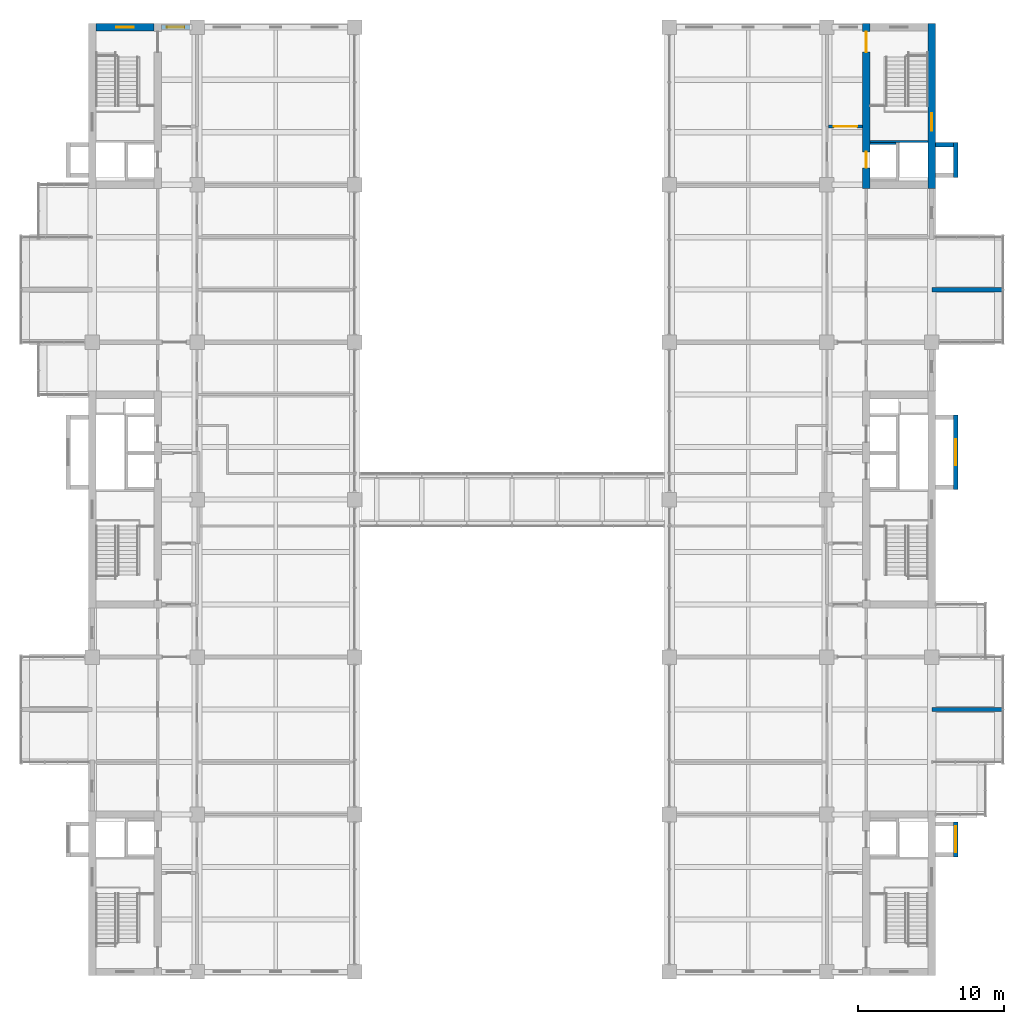
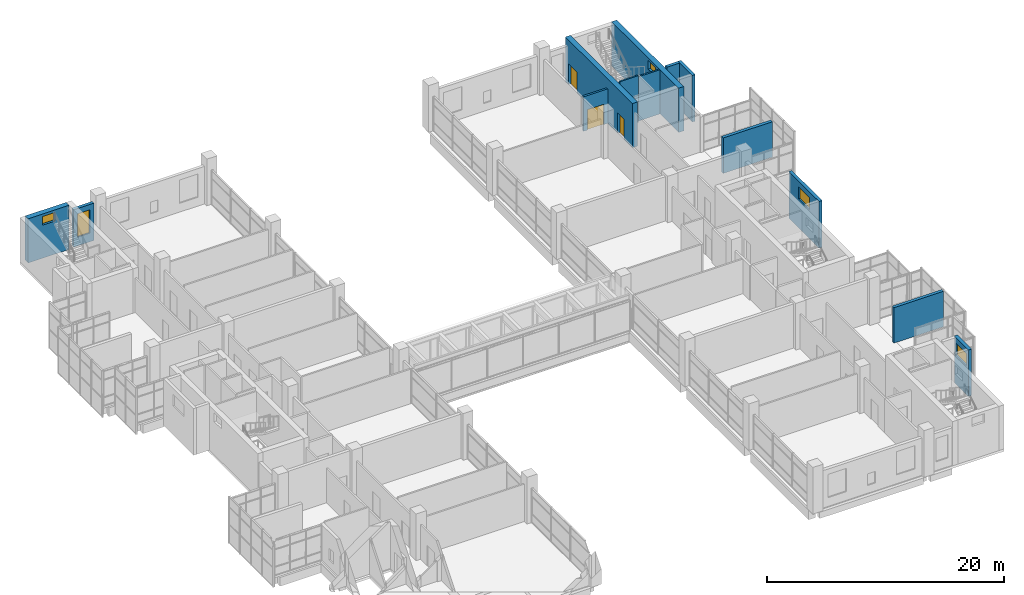
# One storey, part 31 of 35: 13 walls, 5 windows, 3 doors, 8 openings.
"""IFC4 building model written with IfcOpenShell, lengths in metres."""

from ifc_helpers import new_model, si_unit, direction, frame, frame_2d, origin, place, context, subcontext, project, spatial, rectangle, extrude, material, layer, layer_set, type_object, element, fill, save


model = new_model("IFC4")

# Units and contexts
model_context = context("Model", 3, precision=1e-05, world=origin(), true_north=direction((0.0, 1.0)))
body_context = subcontext(model_context, "Body", "Model", "MODEL_VIEW")
ifc_project = project(units=[si_unit("LENGTHUNIT", "METRE"), si_unit("AREAUNIT", "SQUARE_METRE"), si_unit("VOLUMEUNIT", "CUBIC_METRE"), si_unit("PLANEANGLEUNIT", "RADIAN"), si_unit("MASSUNIT", "GRAM", prefix="KILO")], contexts=[model_context])

# Site, building, storey
site_placement = place(None, origin())
site = spatial("IfcSite", under=ifc_project, at=site_placement, CompositionType="ELEMENT")
building_placement = place(site_placement, origin())
building = spatial("IfcBuilding", under=site, at=building_placement, Name="Basin Gate Institute", CompositionType="ELEMENT")
storey_placement = place(building_placement, frame((0.0, 0.0, 31.800048828125)))
storey = spatial("IfcBuildingStorey", under=building, at=storey_placement, Name="L06", CompositionType="ELEMENT", Elevation=31.800048828125)

# Walls
ifc_material_1 = material(Name="Aluminium-faced insulated panel wall", Category="aluminium")
ifc_layer_1 = layer(ifc_material_1, 0.300048828125)
ifc_layer_set_1 = layer_set([ifc_layer_1], Name="Capsule side wall EW2 EI 120")
wall_type_1 = type_object("IfcWallType", Name="Capsule side wall EW2 EI 120", PredefinedType="STANDARD", material=ifc_layer_set_1)
for number, where, z_axis, x_axis, name in (
    (1, (123.60009765625, 53.10009765625, 0.0), (0.0, 0.0, 1.0), (-1.0, 0.0, 0.0), "Capsule side wall E wing L06 line 6"),
    (2, (123.60009765625, 81.89990234375, 0.0), (0.0, 0.0, 1.0), (-1.0, 0.0, 0.0), "Capsule side wall E wing L06 line 14"),
):
    element("IfcWall", number, at=place(storey_placement, frame(where, z_axis=z_axis, x_axis=x_axis)), inside=storey, type_object=wall_type_1, material=ifc_layer_set_1, Name=name, PredefinedType="STANDARD", context=body_context, shape_type="SweptSolid", body=[
        extrude(rectangle(XDim=4.800048828125, YDim=0.300048828125, at=frame_2d((2.39990234375, 0.0))), origin(), (0.0, 0.0, 1.0), 3.64990234375),
    ])

# Wall, opening, door
ifc_material_2 = material(Name="Fire-rated masonry", Category="masonry")
ifc_layer_2 = layer(ifc_material_2, 0.199951171875)
ifc_layer_set_2 = layer_set([ifc_layer_2], Name="Enclosure wall PW2 200 EI 60")
wall_type_2 = type_object("IfcWallType", Name="Enclosure wall PW2 200 EI 60", PredefinedType="PARTITIONING", material=ifc_layer_set_2)
wall_1_placement = place(storey_placement, frame((114.050048828125, 93.10009765625, 0.0), z_axis=(0.0, 0.0, 1.0), x_axis=(-1.0, 0.0, 0.0)))
wall_1 = element("IfcWall", 3, at=wall_1_placement, inside=storey, type_object=wall_type_2, material=ifc_layer_set_2, Name="Smoke lobby enclosure wall PW2 L06", PredefinedType="PARTITIONING", context=body_context, shape_type="SweptSolid", body=[
    extrude(rectangle(XDim=2.35009765625, YDim=0.199951171875, at=frame_2d((1.175048828125, 0.0))), origin(), (0.0, 0.0, 1.0), 3.550048828125),
])
opening_1_placement = place(wall_1_placement, frame((0.375, 0.0, 0.0)))
opening_1 = element("IfcOpeningElement", 4, at=opening_1_placement, cuts=wall_1, Name="Opening DR299", PredefinedType="OPENING", context=body_context, shape_type="SweptSolid", body=[
    extrude(rectangle(XDim=1.60009765625, YDim=2.10009765625, at=frame_2d((0.800048828125, 1.050048828125))), frame((0.0, 0.10986328125, 0.0), z_axis=(0.0, -1.0, 0.0), x_axis=(1.0, 0.0, 0.0)), (0.0, 0.0, 1.0), 0.219970703125),
])
ifc_material_3 = material(Name="Steel fire door", Category="steel")
door_type_1 = type_object("IfcDoorType", Name="FD60 Smoke lobby door pair D8", OperationType="DOUBLE_DOOR_SINGLE_SWING", PredefinedType="DOOR", material=ifc_material_3)
door_1_placement = place(opening_1_placement, frame((1.60009765625, 0.0, 0.0), z_axis=(0.0, 0.0, 1.0), x_axis=(-1.0, 0.0, 0.0)))
door_1 = element("IfcDoor", 5, at=door_1_placement, inside=storey, type_object=door_type_1, material=ifc_material_3, Name="Smoke lobby door SS6 L06", OperationType="DOUBLE_DOOR_SINGLE_SWING", OverallHeight=2.10009765625, OverallWidth=1.60009765625, PredefinedType="DOOR", context=body_context, shape_type="SweptSolid", body=[
    extrude(rectangle(XDim=1.60009765625, YDim=2.10009765625, at=frame_2d((0.800048828125, 1.050048828125))), frame((0.0, 0.02490234375, 0.0), z_axis=(0.0, -1.0, 0.0), x_axis=(1.0, 0.0, 0.0)), (0.0, 0.0, 1.0), 0.050048828125),
])
fill(opening_1, door_1)

# Wall, opening, window
ifc_material_4 = material(Name="Aluminium-faced insulated panel wall", Category="aluminium")
ifc_layer_3 = layer(ifc_material_4, 0.300048828125)
ifc_layer_set_3 = layer_set([ifc_layer_3], Name="External wall EW1 EI 120")
wall_type_3 = type_object("IfcWallType", Name="External wall EW1 EI 120", PredefinedType="STANDARD", material=ifc_layer_set_3)
wall_2_placement = place(storey_placement, frame((65.949951171875, 99.89990234375, 0.0), z_axis=(0.0, 0.0, 1.0), x_axis=(1.0, 0.0, 0.0)))
wall_2 = element("IfcWall", 6, at=wall_2_placement, inside=storey, type_object=wall_type_3, material=ifc_layer_set_3, Name="External end wall W wing north L06 1", PredefinedType="STANDARD", context=body_context, shape_type="SweptSolid", body=[
    extrude(rectangle(XDim=1.949951171875, YDim=0.300048828125, at=frame_2d((0.97509765625, 0.0))), origin(), (0.0, 0.0, 1.0), 3.849853515625),
])
opening_2_placement = place(wall_2_placement, frame((0.375, 0.0, 0.89990234375)))
opening_2 = element("IfcOpeningElement", 7, at=opening_2_placement, cuts=wall_2, Name="Opening WN4", PredefinedType="OPENING", context=body_context, shape_type="SweptSolid", body=[
    extrude(rectangle(XDim=1.199951171875, YDim=2.39990234375, at=frame_2d((0.60009765625, 1.199951171875))), frame((0.0, 0.16015625, 0.0), z_axis=(0.0, -1.0, 0.0), x_axis=(1.0, 0.0, 0.0)), (0.0, 0.0, 1.0), 0.320068359375),
])
ifc_material_5 = material(Name="Aluminium-framed double glazing", Category="aluminium")
window_type_1 = type_object("IfcWindowType", Name="Corridor end window WN4", PartitioningType="SINGLE_PANEL", PredefinedType="WINDOW", material=ifc_material_5)
window_1_placement = place(opening_2_placement, origin())
window_1 = element("IfcWindow", 8, at=window_1_placement, inside=storey, type_object=window_type_1, material=ifc_material_5, Name="Corridor end window W wing N L06", OverallHeight=2.39990234375, OverallWidth=1.199951171875, PartitioningType="SINGLE_PANEL", PredefinedType="WINDOW", context=body_context, shape_type="SweptSolid", body=[
    extrude(rectangle(XDim=1.199951171875, YDim=2.39990234375, at=frame_2d((0.60009765625, 1.199951171875))), frame((0.0, 0.030029296875, 0.0), z_axis=(0.0, -1.0, 0.0), x_axis=(1.0, 0.0, 0.0)), (0.0, 0.0, 1.0), 0.06005859375),
])
fill(opening_2, window_1)

# Walls
ifc_material_6 = material(Name="Concrete 40 MPa", Category="concrete")
ifc_layer_4 = layer(ifc_material_6, 0.14990234375)
ifc_layer_set_4 = layer_set([ifc_layer_4], Name="Concrete 40 MPa")
wall_type_4 = type_object("IfcWallType", Name="Wall LS1 lift shaft enclosure R120", PredefinedType="SOLIDWALL", material=ifc_layer_set_4)
wall_3_placement = place(storey_placement, frame((116.35009765625, 91.925048828125, 0.0), z_axis=(0.0, 0.0, 1.0), x_axis=(-1.0, 0.0, 0.0)))
element("IfcWall", 9, at=wall_3_placement, inside=storey, type_object=wall_type_4, material=ifc_layer_set_4, Name="Lift shaft enclosure LP6 L06 RL", PredefinedType="SOLIDWALL", context=body_context, shape_type="SweptSolid", body=[
    extrude(rectangle(XDim=1.800048828125, YDim=0.14990234375, at=frame_2d((0.89990234375, 0.0))), origin(), (0.0, 0.0, 1.0), 4.800048828125),
])
ifc_material_7 = material(Name="Concrete 40 MPa", Category="concrete")
ifc_layer_5 = layer(ifc_material_7, 0.14990234375)
ifc_layer_set_5 = layer_set([ifc_layer_5], Name="Concrete 40 MPa")
wall_type_5 = type_object("IfcWallType", Name="Wall SE1 stair enclosure R120", PredefinedType="SOLIDWALL", material=ifc_layer_set_5)
wall_4_placement = place(storey_placement, frame((118.550048828125, 92.074951171875, 0.0), z_axis=(0.0, 0.0, 1.0), x_axis=(-1.0, 0.0, 0.0)))
element("IfcWall", 10, at=wall_4_placement, inside=storey, type_object=wall_type_5, material=ifc_layer_set_5, Name="Stair enclosure wall ST-EN L06", PredefinedType="SOLIDWALL", context=body_context, shape_type="SweptSolid", body=[
    extrude(rectangle(XDim=4.0, YDim=0.14990234375, at=frame_2d((2.0, 0.0))), origin(), (0.0, 0.0, 1.0), 4.550048828125),
])

# Wall, opening, window
ifc_material_8 = material(Name="Concrete 50 MPa", Category="concrete")
ifc_layer_6 = layer(ifc_material_8, 0.300048828125)
ifc_layer_set_6 = layer_set([ifc_layer_6], Name="Concrete 50 MPa")
wall_type_6 = type_object("IfcWallType", Name="Wall SK1 R120", PredefinedType="SHEAR", material=ifc_layer_set_6)
wall_5_placement = place(storey_placement, frame((120.449951171875, 43.0, 0.0), z_axis=(0.0, 0.0, 1.0), x_axis=(0.0, 1.0, 0.0)))
wall_5 = element("IfcWall", 11, at=wall_5_placement, inside=storey, type_object=wall_type_6, material=ifc_layer_set_6, Name="Spine riser stack wall SK1 ES F L06", PredefinedType="SHEAR", context=body_context, shape_type="SweptSolid", body=[
    extrude(rectangle(XDim=2.39990234375, YDim=0.300048828125, at=frame_2d((1.199951171875, 0.0))), origin(), (0.0, 0.0, 1.0), 4.800048828125),
])
opening_3_placement = place(wall_5_placement, frame((0.300048828125, 0.0, 3.0)))
opening_3 = element("IfcOpeningElement", 12, at=opening_3_placement, cuts=wall_5, Name="Opening WL2", PredefinedType="OPENING", context=body_context, shape_type="SweptSolid", body=[
    extrude(rectangle(XDim=1.800048828125, YDim=1.199951171875, at=frame_2d((0.89990234375, 0.60009765625))), frame((0.0, 0.16015625, 0.0), z_axis=(0.0, -1.0, 0.0), x_axis=(1.0, 0.0, 0.0)), (0.0, 0.0, 1.0), 0.320068359375),
])
ifc_material_9 = material(Name="Aluminium louvre blades with fire damper", Category="aluminium")
window_type_2 = type_object("IfcWindowType", Name="Riser louvre EI 120 WL2", PartitioningType="SINGLE_PANEL", PredefinedType="WINDOW", material=ifc_material_9)
window_2_placement = place(opening_3_placement, origin())
window_2 = element("IfcWindow", 13, at=window_2_placement, inside=storey, type_object=window_type_2, material=ifc_material_9, Name="Riser louvre EI 120 ES riser 1 L06", OverallHeight=1.199951171875, OverallWidth=1.800048828125, PartitioningType="SINGLE_PANEL", PredefinedType="WINDOW", context=body_context, shape_type="SweptSolid", body=[
    extrude(rectangle(XDim=1.800048828125, YDim=1.199951171875, at=frame_2d((0.89990234375, 0.60009765625))), frame((0.0, 0.030029296875, 0.0), z_axis=(0.0, -1.0, 0.0), x_axis=(1.0, 0.0, 0.0)), (0.0, 0.0, 1.0), 0.06005859375),
])
fill(opening_3, window_2)

wall_6_placement = place(storey_placement, frame((120.449951171875, 68.199951171875, 0.0), z_axis=(0.0, 0.0, 1.0), x_axis=(0.0, 1.0, 0.0)))
wall_6 = element("IfcWall", 14, at=wall_6_placement, inside=storey, type_object=wall_type_6, material=ifc_layer_set_6, Name="Spine riser stack wall SK1 EM F L06", PredefinedType="SHEAR", context=body_context, shape_type="SweptSolid", body=[
    extrude(rectangle(XDim=5.10009765625, YDim=0.300048828125, at=frame_2d((2.550048828125, 0.0))), origin(), (0.0, 0.0, 1.0), 4.800048828125),
])
opening_4_placement = place(wall_6_placement, frame((1.64990234375, 0.0, 3.0)))
opening_4 = element("IfcOpeningElement", 15, at=opening_4_placement, cuts=wall_6, Name="Opening WL2", PredefinedType="OPENING", context=body_context, shape_type="SweptSolid", body=[
    extrude(rectangle(XDim=1.800048828125, YDim=1.199951171875, at=frame_2d((0.89990234375, 0.60009765625))), frame((0.0, 0.16015625, 0.0), z_axis=(0.0, -1.0, 0.0), x_axis=(1.0, 0.0, 0.0)), (0.0, 0.0, 1.0), 0.320068359375),
])
window_3_placement = place(opening_4_placement, origin())
window_3 = element("IfcWindow", 16, at=window_3_placement, inside=storey, type_object=window_type_2, material=ifc_material_9, Name="Riser louvre EI 120 EM riser 1 L06", OverallHeight=1.199951171875, OverallWidth=1.800048828125, PartitioningType="SINGLE_PANEL", PredefinedType="WINDOW", context=body_context, shape_type="SweptSolid", body=[
    extrude(rectangle(XDim=1.800048828125, YDim=1.199951171875, at=frame_2d((0.89990234375, 0.60009765625))), frame((0.0, 0.030029296875, 0.0), z_axis=(0.0, -1.0, 0.0), x_axis=(1.0, 0.0, 0.0)), (0.0, 0.0, 1.0), 0.06005859375),
])
fill(opening_4, window_3)

# Walls
wall_7_placement = place(storey_placement, frame((120.449951171875, 89.60009765625, 0.0), z_axis=(0.0, 0.0, 1.0), x_axis=(0.0, 1.0, 0.0)))
element("IfcWall", 17, at=wall_7_placement, inside=storey, type_object=wall_type_6, material=ifc_layer_set_6, Name="Spine riser stack wall SK1 EN F L06", PredefinedType="SHEAR", context=body_context, shape_type="SweptSolid", body=[
    extrude(rectangle(XDim=2.39990234375, YDim=0.300048828125, at=frame_2d((1.199951171875, 0.0))), origin(), (0.0, 0.0, 1.0), 4.800048828125),
])
wall_8_placement = place(storey_placement, frame((119.050048828125, 91.85009765625, 0.0), z_axis=(0.0, 0.0, 1.0), x_axis=(1.0, 0.0, 0.0)))
element("IfcWall", 18, at=wall_8_placement, inside=storey, type_object=wall_type_6, material=ifc_layer_set_6, Name="Spine riser stack wall SK1 EN B L06", PredefinedType="SHEAR", context=body_context, shape_type="SweptSolid", body=[
    extrude(rectangle(XDim=1.25, YDim=0.300048828125, at=frame_2d((0.625, 0.0))), origin(), (0.0, 0.0, 1.0), 4.800048828125),
])

# Wall, opening, window
ifc_material_10 = material(Name="Concrete 60 MPa", Category="concrete")
ifc_layer_7 = layer(ifc_material_10, 0.5)
ifc_layer_set_7 = layer_set([ifc_layer_7], Name="Concrete 60 MPa")
wall_type_7 = type_object("IfcWallType", Name="Wall SW1 R120", PredefinedType="SHEAR", material=ifc_layer_set_7)
wall_9_placement = place(storey_placement, frame((61.449951171875, 99.89990234375, 0.0), z_axis=(0.0, 0.0, 1.0), x_axis=(1.0, 0.0, 0.0)))
wall_9 = element("IfcWall", 19, at=wall_9_placement, inside=storey, type_object=wall_type_7, material=ifc_layer_set_7, Name="WALL/L06/WN/N", PredefinedType="SHEAR", context=body_context, shape_type="SweptSolid", body=[
    extrude(rectangle(XDim=4.0, YDim=0.5, at=frame_2d((2.0, 0.0))), origin(), (0.0, 0.0, 1.0), 4.550048828125),
])
opening_5_placement = place(wall_9_placement, frame((1.39990234375, 0.0, 3.39990234375)))
opening_5 = element("IfcOpeningElement", 20, at=opening_5_placement, cuts=wall_9, Name="Opening WT2", PredefinedType="OPENING", context=body_context, shape_type="SweptSolid", body=[
    extrude(rectangle(XDim=1.199951171875, YDim=0.89990234375, at=frame_2d((0.60009765625, 0.449951171875))), frame((0.0, 0.260009765625, 0.0), z_axis=(0.0, -1.0, 0.0), x_axis=(1.0, 0.0, 0.0)), (0.0, 0.0, 1.0), 0.52001953125),
])
ifc_material_11 = material(Name="Fire-resistant glazing in steel-free frame", Category="steel")
window_type_3 = type_object("IfcWindowType", Name="Rated stair window EI 120 WT2", PartitioningType="SINGLE_PANEL", PredefinedType="WINDOW", material=ifc_material_11)
window_4_placement = place(opening_5_placement, origin())
window_4 = element("IfcWindow", 21, at=window_4_placement, inside=storey, type_object=window_type_3, material=ifc_material_11, Name="Rated stair window EI 120 WN end L06", OverallHeight=0.89990234375, OverallWidth=1.199951171875, PartitioningType="SINGLE_PANEL", PredefinedType="WINDOW", context=body_context, shape_type="SweptSolid", body=[
    extrude(rectangle(XDim=1.199951171875, YDim=0.89990234375, at=frame_2d((0.60009765625, 0.449951171875))), frame((0.0, 0.030029296875, 0.0), z_axis=(0.0, -1.0, 0.0), x_axis=(1.0, 0.0, 0.0)), (0.0, 0.0, 1.0), 0.06005859375),
])
fill(opening_5, window_4)

wall_10_placement = place(storey_placement, frame((118.800048828125, 88.85009765625, 0.0), z_axis=(0.0, 0.0, 1.0), x_axis=(0.0, 1.0, 0.0)))
wall_10 = element("IfcWall", 22, at=wall_10_placement, inside=storey, type_object=wall_type_7, material=ifc_layer_set_7, Name="WALL/L06/EN/L", PredefinedType="SHEAR", context=body_context, shape_type="SweptSolid", body=[
    extrude(rectangle(XDim=11.2998046875, YDim=0.5, at=frame_2d((5.64990234375, 0.0))), origin(), (0.0, 0.0, 1.0), 4.550048828125),
])
opening_6_placement = place(wall_10_placement, frame((3.93994140625, 0.0, 3.39990234375)))
opening_6 = element("IfcOpeningElement", 23, at=opening_6_placement, cuts=wall_10, Name="Opening WT2", PredefinedType="OPENING", context=body_context, shape_type="SweptSolid", body=[
    extrude(rectangle(XDim=1.199951171875, YDim=0.89990234375, at=frame_2d((0.60009765625, 0.449951171875))), frame((0.0, 0.260009765625, 0.0), z_axis=(0.0, -1.0, 0.0), x_axis=(1.0, 0.0, 0.0)), (0.0, 0.0, 1.0), 0.52001953125),
])
window_5_placement = place(opening_6_placement, origin())
window_5 = element("IfcWindow", 24, at=window_5_placement, inside=storey, type_object=window_type_3, material=ifc_material_11, Name="Rated stair window EI 120 EN landing L06", OverallHeight=0.89990234375, OverallWidth=1.199951171875, PartitioningType="SINGLE_PANEL", PredefinedType="WINDOW", context=body_context, shape_type="SweptSolid", body=[
    extrude(rectangle(XDim=1.199951171875, YDim=0.89990234375, at=frame_2d((0.60009765625, 0.449951171875))), frame((0.0, 0.030029296875, 0.0), z_axis=(0.0, -1.0, 0.0), x_axis=(1.0, 0.0, 0.0)), (0.0, 0.0, 1.0), 0.06005859375),
])
fill(opening_6, window_5)

# Wall, openings, doors
wall_11_placement = place(storey_placement, frame((114.300048828125, 88.85009765625, 0.0), z_axis=(0.0, 0.0, 1.0), x_axis=(0.0, 1.0, 0.0)))
wall_11 = element("IfcWall", 25, at=wall_11_placement, inside=storey, type_object=wall_type_7, material=ifc_layer_set_7, Name="WALL/L06/EN/C", PredefinedType="SHEAR", context=body_context, shape_type="SweptSolid", body=[
    extrude(rectangle(XDim=11.2998046875, YDim=0.5, at=frame_2d((5.64990234375, 0.0))), origin(), (0.0, 0.0, 1.0), 4.550048828125),
])
opening_7_placement = place(wall_11_placement, frame((9.35009765625, 0.0, 0.0)))
opening_7 = element("IfcOpeningElement", 26, at=opening_7_placement, cuts=wall_11, Name="Opening DS042", PredefinedType="OPENING", context=body_context, shape_type="SweptSolid", body=[
    extrude(rectangle(XDim=1.39990234375, YDim=2.10009765625, at=frame_2d((0.699951171875, 1.050048828125))), frame((0.0, 0.260009765625, 0.0), z_axis=(0.0, -1.0, 0.0), x_axis=(1.0, 0.0, 0.0)), (0.0, 0.0, 1.0), 0.52001953125),
])
opening_8_placement = place(wall_11_placement, frame((1.39990234375, 0.0, 0.0)))
opening_8 = element("IfcOpeningElement", 27, at=opening_8_placement, cuts=wall_11, Name="Opening LD112", PredefinedType="OPENING", context=body_context, shape_type="SweptSolid", body=[
    extrude(rectangle(XDim=1.10009765625, YDim=2.10009765625, at=frame_2d((0.550048828125, 1.050048828125))), frame((0.0, 0.260009765625, 0.0), z_axis=(0.0, -1.0, 0.0), x_axis=(1.0, 0.0, 0.0)), (0.0, 0.0, 1.0), 0.52001953125),
])
ifc_material_12 = material(Name="Steel fire door", Category="steel")
door_type_2 = type_object("IfcDoorType", Name="FD30 Stair enclosure door DS", OperationType="DOUBLE_DOOR_SINGLE_SWING", PredefinedType="DOOR", material=ifc_material_12)
door_2_placement = place(opening_7_placement, frame((1.39990234375, 0.0, 0.0), z_axis=(0.0, 0.0, 1.0), x_axis=(-1.0, 0.0, 0.0)))
door_2 = element("IfcDoor", 28, at=door_2_placement, inside=storey, type_object=door_type_2, material=ifc_material_12, Name="Stair enclosure door ST-EN L06", OperationType="DOUBLE_DOOR_SINGLE_SWING", OverallHeight=2.10009765625, OverallWidth=1.39990234375, PredefinedType="DOOR", context=body_context, shape_type="SweptSolid", body=[
    extrude(rectangle(XDim=1.39990234375, YDim=2.10009765625, at=frame_2d((0.699951171875, 1.050048828125))), frame((0.0, 0.02490234375, 0.0), z_axis=(0.0, -1.0, 0.0), x_axis=(1.0, 0.0, 0.0)), (0.0, 0.0, 1.0), 0.050048828125),
])
fill(opening_7, door_2)
ifc_material_13 = material(Name="Stainless steel", Category="steel")
door_type_3 = type_object("IfcDoorType", Name="FD60 Lift landing door LD", OperationType="SLIDING_TO_LEFT", PredefinedType="DOOR", material=ifc_material_13)
door_3_placement = place(opening_8_placement, origin())
door_3 = element("IfcDoor", 29, at=door_3_placement, inside=storey, type_object=door_type_3, material=ifc_material_13, Name="Lift landing door LP6 L06", OperationType="SLIDING_TO_LEFT", OverallHeight=2.10009765625, OverallWidth=1.10009765625, PredefinedType="DOOR", context=body_context, shape_type="SweptSolid", body=[
    extrude(rectangle(XDim=1.10009765625, YDim=2.10009765625, at=frame_2d((0.550048828125, 1.050048828125))), frame((0.0, 0.02490234375, 0.0), z_axis=(0.0, -1.0, 0.0), x_axis=(1.0, 0.0, 0.0)), (0.0, 0.0, 1.0), 0.050048828125),
])
fill(opening_8, door_3)

save(model, "model.ifc")
